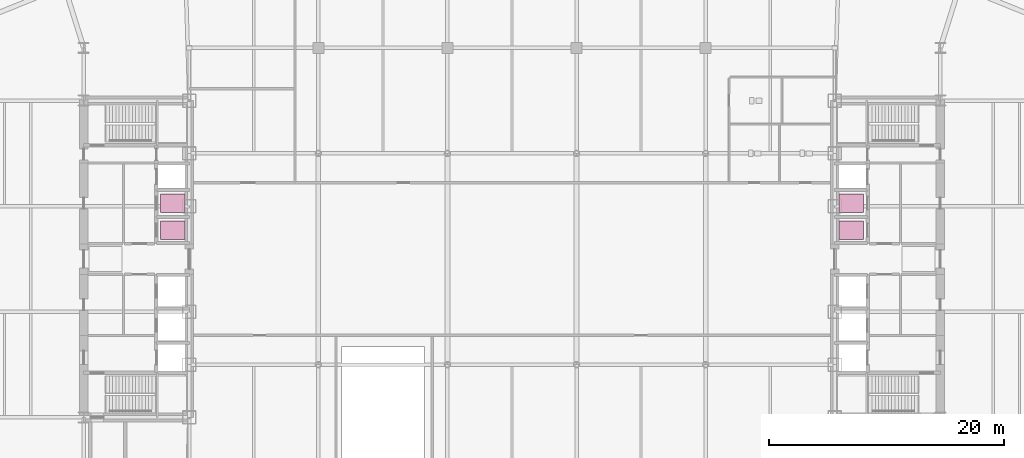
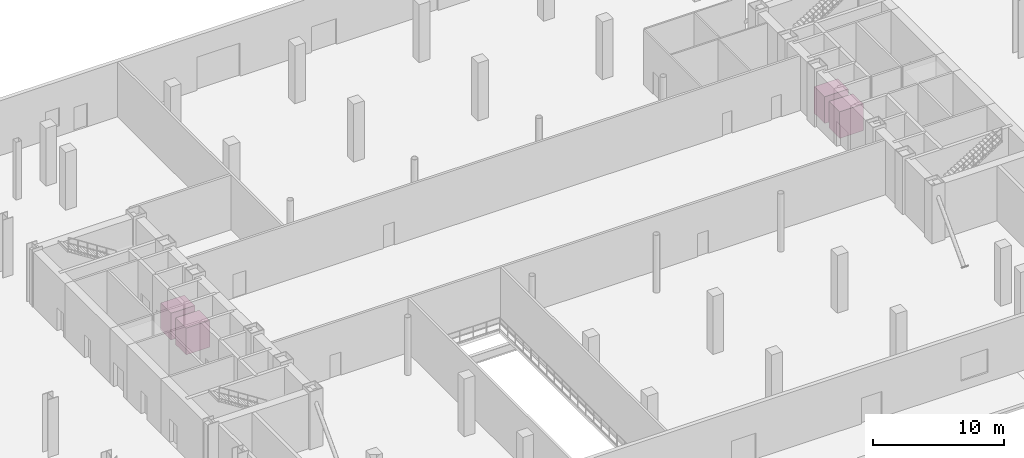
# One storey, part 21 of 21: 4 transport elements.
"""IFC4 building model written with IfcOpenShell, lengths in metres."""

from ifc_helpers import new_model, si_unit, direction, frame, origin, origin_2d, place, context, subcontext, project, spatial, rectangle, extrude, source, transform, mapped, material, type_object, type_shapes, element, save


model = new_model("IFC4")

# Units and contexts
model_context = context("Model", 3, precision=1e-05, world=origin(), true_north=direction((0.0, 1.0)))
body_context = subcontext(model_context, "Body", "Model", "MODEL_VIEW")
ifc_project = project(units=[si_unit("LENGTHUNIT", "METRE"), si_unit("AREAUNIT", "SQUARE_METRE"), si_unit("VOLUMEUNIT", "CUBIC_METRE"), si_unit("PLANEANGLEUNIT", "RADIAN"), si_unit("MASSUNIT", "GRAM", prefix="KILO")], contexts=[model_context])

# Site, building, storey
site_placement = place(None, origin())
site = spatial("IfcSite", under=ifc_project, at=site_placement, CompositionType="ELEMENT")
building_placement = place(site_placement, origin())
building = spatial("IfcBuilding", under=site, at=building_placement, Name="Seokmaru Belvedere", CompositionType="ELEMENT")
storey_placement = place(building_placement, origin())
storey = spatial("IfcBuildingStorey", under=building, at=storey_placement, Name="L00", CompositionType="ELEMENT", Elevation=0.0)

# Transport elements
ifc_material = material(Name="Stainless Steel 316", Category="steel")
transport_element_type = type_object("IfcTransportElementType", Name="Residential High-Speed Passenger Lift Car 1600x2100", PredefinedType="ELEVATOR", material=ifc_material)
shared_shape = source(origin(), body_context, "Body", "SweptSolid", [
    extrude(rectangle(XDim=2.10009765625, YDim=1.60009765625, at=origin_2d()), origin(), (0.0, 0.0, 1.0), 2.5),
])
type_shapes(transport_element_type, [shared_shape])
for number, where, z_axis, x_axis, name in (
    (1, (-28.89990234375, 2.449951171875, 0.0), (0.0, 0.0, 1.0), (1.0, 0.0, 0.0), "High-Rise Passenger Lift PH-W1"),
    (2, (-28.89990234375, 4.75, 0.0), (0.0, 0.0, 1.0), (1.0, 0.0, 0.0), "High-Rise Passenger Lift PH-W2"),
    (3, (28.89990234375, 2.449951171875, 0.0), (0.0, 0.0, 1.0), (1.0, 0.0, 0.0), "High-Rise Passenger Lift PH-E1"),
    (4, (28.89990234375, 4.75, 0.0), (0.0, 0.0, 1.0), (1.0, 0.0, 0.0), "High-Rise Passenger Lift PH-E2"),
):
    element("IfcTransportElement", number, at=place(storey_placement, frame(where, z_axis=z_axis, x_axis=x_axis)), inside=storey, type_object=transport_element_type, Name=name, PredefinedType="ELEVATOR", context=body_context, shape_type="MappedRepresentation", body=[
        mapped(shared_shape, transform((0.0, 0.0, 0.0), scale=1.0)),
    ])

save(model, "model.ifc")
